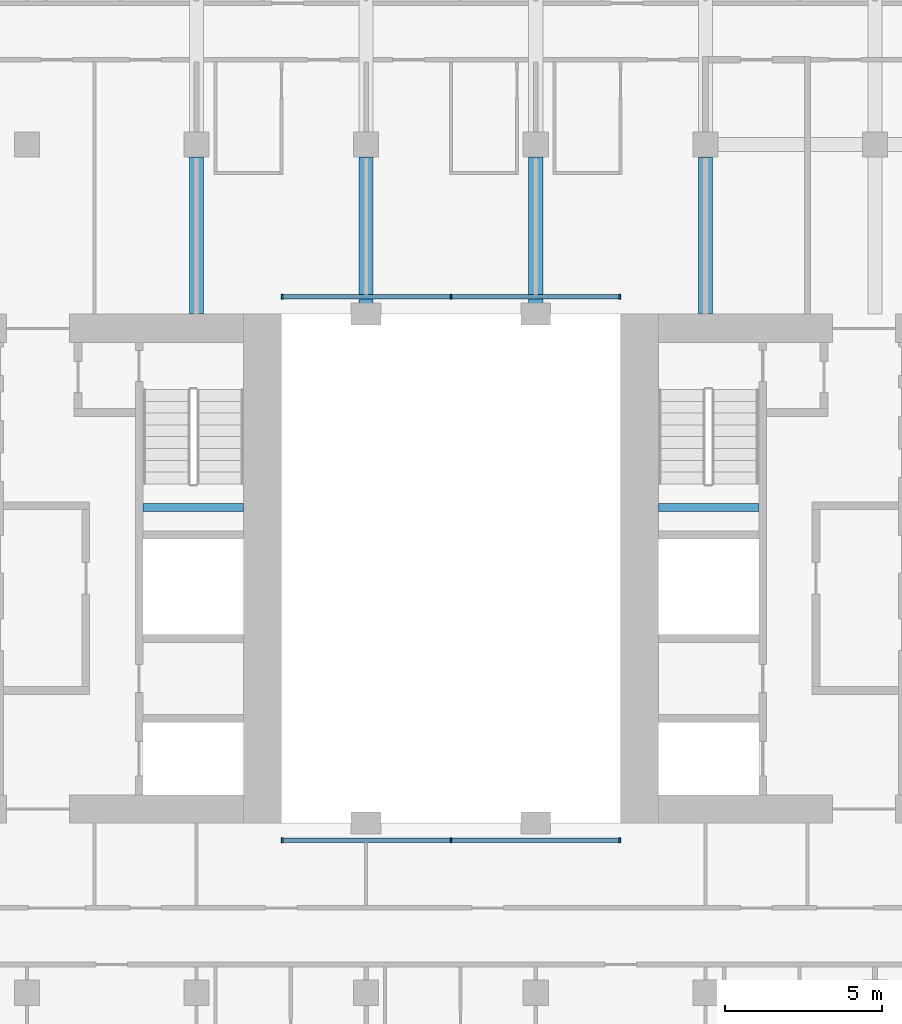
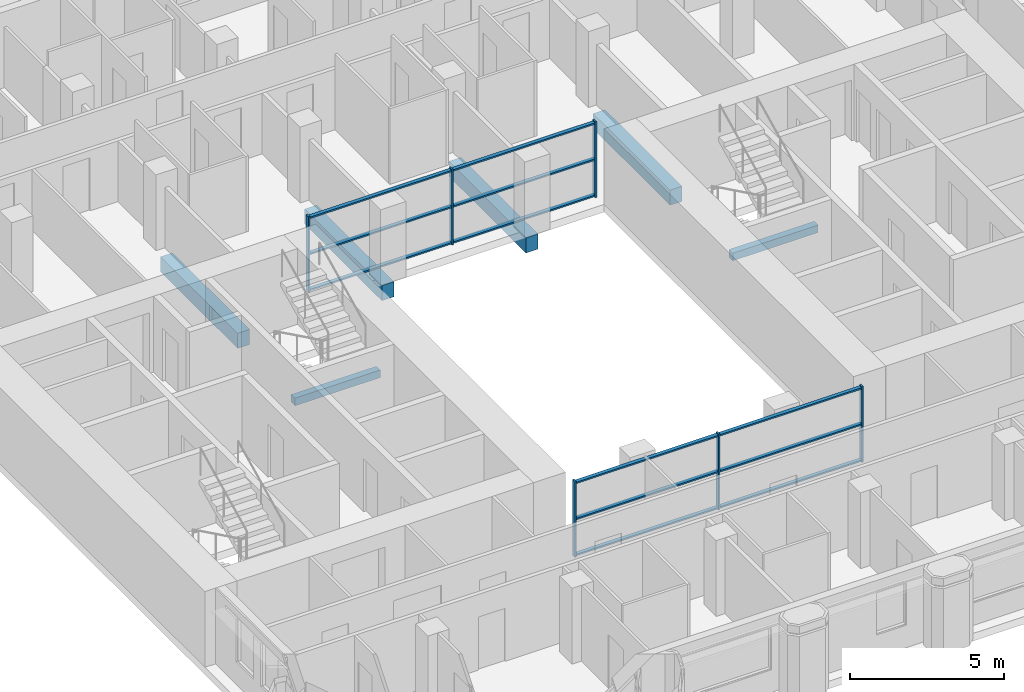
# One storey, part 2 of 13: 18 members, 6 beams, 2 elements without a shape of their own.
"""IFC4 building model written with IfcOpenShell, lengths in metres."""

from ifc_helpers import new_model, si_unit, direction, frame, origin, origin_2d, place, context, subcontext, project, spatial, rectangle, extrude, material, material_profile, profile_set, type_object, element, aggregate, save


model = new_model("IFC4")

# Units and contexts
model_context = context("Model", 3, precision=1e-05, world=origin(), true_north=direction((0.0, 1.0)))
body_context = subcontext(model_context, "Body", "Model", "MODEL_VIEW")
ifc_project = project(units=[si_unit("LENGTHUNIT", "METRE"), si_unit("AREAUNIT", "SQUARE_METRE"), si_unit("VOLUMEUNIT", "CUBIC_METRE"), si_unit("PLANEANGLEUNIT", "RADIAN"), si_unit("MASSUNIT", "GRAM", prefix="KILO")], contexts=[model_context])

# Site, building, storey
site_placement = place(None, origin())
site = spatial("IfcSite", under=ifc_project, at=site_placement, CompositionType="ELEMENT")
building_placement = place(site_placement, origin())
building = spatial("IfcBuilding", under=site, at=building_placement, Name="Tabaq Tower and Sports Hall", CompositionType="ELEMENT")
storey_placement = place(building_placement, frame((0.0, 0.0, 203.800048828125)))
storey = spatial("IfcBuildingStorey", under=building, at=storey_placement, Name="L50", CompositionType="ELEMENT", Elevation=203.800048828125)

# Curtain wall, members
ifc_material_1 = material(Name="Aluminium alloy 6063-T6 framed glazing", Category="aluminium")
curtain_wall_type = type_object("IfcCurtainWallType", Name="CW1 curtain wall", PredefinedType="USERDEFINED", material=ifc_material_1)
curtain_wall_1_placement = place(storey_placement, origin())
curtain_wall_1 = element("IfcCurtainWall", 1, at=curtain_wall_1_placement, inside=storey, type_object=curtain_wall_type, Name="Atrium glazing L50 S", ObjectType="ATRIUM ENCLOSURE", PredefinedType="USERDEFINED")
ifc_material_2 = material(Name="Aluminium alloy 6063-T6", Category="aluminium")
ifc_material_profile_1 = material_profile(ifc_material_2, rectangle(XDim=0.159912109375, YDim=0.06005859375, at=origin_2d()), Name="MULLION 160x60")
ifc_profile_set_1 = profile_set([ifc_material_profile_1], Name="Aluminium alloy 6063-T6")
member_type_1 = type_object("IfcMemberType", Name="CW1 mullion 160x60", PredefinedType="MULLION", material=ifc_profile_set_1)
member_1_placement = place(storey_placement, frame((18.929931640625, 15.64990234375, 0.0), z_axis=(0.0, 0.0, 1.0), x_axis=(0.0, 1.0, 0.0)))
member_1 = element("IfcMember", 2, at=member_1_placement, type_object=member_type_1, Name="CW1 mullion 1", PredefinedType="MULLION", context=body_context, shape_type="SweptSolid", body=[
    extrude(rectangle(XDim=0.159912109375, YDim=0.06005859375, at=origin_2d()), origin(), (0.0, 0.0, 1.0), 3.0),
])
member_2_placement = place(storey_placement, frame((24.300048828125, 15.64990234375, 0.0), z_axis=(0.0, 0.0, 1.0), x_axis=(0.0, 1.0, 0.0)))
member_2 = element("IfcMember", 3, at=member_2_placement, type_object=member_type_1, Name="CW1 mullion 2", PredefinedType="MULLION", context=body_context, shape_type="SweptSolid", body=[
    extrude(rectangle(XDim=0.159912109375, YDim=0.06005859375, at=origin_2d()), origin(), (0.0, 0.0, 1.0), 3.0),
])
member_3_placement = place(storey_placement, frame((29.669921875, 15.64990234375, 0.0), z_axis=(0.0, 0.0, 1.0), x_axis=(0.0, 1.0, 0.0)))
member_3 = element("IfcMember", 4, at=member_3_placement, type_object=member_type_1, Name="CW1 mullion 3", PredefinedType="MULLION", context=body_context, shape_type="SweptSolid", body=[
    extrude(rectangle(XDim=0.159912109375, YDim=0.06005859375, at=origin_2d()), origin(), (0.0, 0.0, 1.0), 3.0),
])

curtain_wall_2_placement = place(storey_placement, origin())
curtain_wall_2 = element("IfcCurtainWall", 5, at=curtain_wall_2_placement, inside=storey, type_object=curtain_wall_type, Name="Atrium glazing L50 N", ObjectType="ATRIUM ENCLOSURE", PredefinedType="USERDEFINED")
member_4_placement = place(storey_placement, frame((18.929931640625, 32.949951171875, 0.0), z_axis=(0.0, 0.0, 1.0), x_axis=(0.0, 1.0, 0.0)))
member_4 = element("IfcMember", 6, at=member_4_placement, type_object=member_type_1, Name="CW1 mullion 1", PredefinedType="MULLION", context=body_context, shape_type="SweptSolid", body=[
    extrude(rectangle(XDim=0.159912109375, YDim=0.06005859375, at=origin_2d()), origin(), (0.0, 0.0, 1.0), 3.0),
])
member_5_placement = place(storey_placement, frame((24.300048828125, 32.949951171875, 0.0), z_axis=(0.0, 0.0, 1.0), x_axis=(0.0, 1.0, 0.0)))
member_5 = element("IfcMember", 7, at=member_5_placement, type_object=member_type_1, Name="CW1 mullion 2", PredefinedType="MULLION", context=body_context, shape_type="SweptSolid", body=[
    extrude(rectangle(XDim=0.159912109375, YDim=0.06005859375, at=origin_2d()), origin(), (0.0, 0.0, 1.0), 3.0),
])
member_6_placement = place(storey_placement, frame((29.669921875, 32.949951171875, 0.0), z_axis=(0.0, 0.0, 1.0), x_axis=(0.0, 1.0, 0.0)))
member_6 = element("IfcMember", 8, at=member_6_placement, type_object=member_type_1, Name="CW1 mullion 3", PredefinedType="MULLION", context=body_context, shape_type="SweptSolid", body=[
    extrude(rectangle(XDim=0.159912109375, YDim=0.06005859375, at=origin_2d()), origin(), (0.0, 0.0, 1.0), 3.0),
])

# Member
ifc_material_3 = material(Name="Aluminium alloy 6063-T6", Category="aluminium")
ifc_material_profile_2 = material_profile(ifc_material_3, rectangle(XDim=0.139892578125, YDim=0.06005859375, at=origin_2d()), Name="TRANSOM 140x60")
ifc_profile_set_2 = profile_set([ifc_material_profile_2], Name="Aluminium alloy 6063-T6")
member_type_2 = type_object("IfcMemberType", Name="CW1 transom 140x60", PredefinedType="USERDEFINED", material=ifc_profile_set_2)
member_7_placement = place(storey_placement, frame((18.9599609375, 15.64990234375, 0.070068359375), z_axis=(1.0, 0.0, 0.0), x_axis=(0.0, 1.0, 0.0)))
member_7 = element("IfcMember", 9, at=member_7_placement, type_object=member_type_2, Name="CW1 transom 1.1", ObjectType="TRANSOM", PredefinedType="USERDEFINED", context=body_context, shape_type="SweptSolid", body=[
    extrude(rectangle(XDim=0.139892578125, YDim=0.06005859375, at=origin_2d()), origin(), (0.0, 0.0, 1.0), 5.31005859375),
])

member_8_placement = place(storey_placement, frame((18.9599609375, 15.64990234375, 1.5), z_axis=(1.0, 0.0, 0.0), x_axis=(0.0, 1.0, 0.0)))
member_8 = element("IfcMember", 10, at=member_8_placement, type_object=member_type_2, Name="CW1 transom 1.2", ObjectType="TRANSOM", PredefinedType="USERDEFINED", context=body_context, shape_type="SweptSolid", body=[
    extrude(rectangle(XDim=0.139892578125, YDim=0.06005859375, at=origin_2d()), origin(), (0.0, 0.0, 1.0), 5.31005859375),
])

member_9_placement = place(storey_placement, frame((18.9599609375, 15.64990234375, 2.929931640625), z_axis=(1.0, 0.0, 0.0), x_axis=(0.0, 1.0, 0.0)))
member_9 = element("IfcMember", 11, at=member_9_placement, type_object=member_type_2, Name="CW1 transom 1.3", ObjectType="TRANSOM", PredefinedType="USERDEFINED", context=body_context, shape_type="SweptSolid", body=[
    extrude(rectangle(XDim=0.139892578125, YDim=0.06005859375, at=origin_2d()), origin(), (0.0, 0.0, 1.0), 5.31005859375),
])

member_10_placement = place(storey_placement, frame((24.330078125, 15.64990234375, 0.070068359375), z_axis=(1.0, 0.0, 0.0), x_axis=(0.0, 1.0, 0.0)))
member_10 = element("IfcMember", 12, at=member_10_placement, type_object=member_type_2, Name="CW1 transom 2.1", ObjectType="TRANSOM", PredefinedType="USERDEFINED", context=body_context, shape_type="SweptSolid", body=[
    extrude(rectangle(XDim=0.139892578125, YDim=0.06005859375, at=origin_2d()), origin(), (0.0, 0.0, 1.0), 5.309814453125),
])

member_11_placement = place(storey_placement, frame((24.330078125, 15.64990234375, 1.5), z_axis=(1.0, 0.0, 0.0), x_axis=(0.0, 1.0, 0.0)))
member_11 = element("IfcMember", 13, at=member_11_placement, type_object=member_type_2, Name="CW1 transom 2.2", ObjectType="TRANSOM", PredefinedType="USERDEFINED", context=body_context, shape_type="SweptSolid", body=[
    extrude(rectangle(XDim=0.139892578125, YDim=0.06005859375, at=origin_2d()), origin(), (0.0, 0.0, 1.0), 5.309814453125),
])

member_12_placement = place(storey_placement, frame((24.330078125, 15.64990234375, 2.929931640625), z_axis=(1.0, 0.0, 0.0), x_axis=(0.0, 1.0, 0.0)))
member_12 = element("IfcMember", 14, at=member_12_placement, type_object=member_type_2, Name="CW1 transom 2.3", ObjectType="TRANSOM", PredefinedType="USERDEFINED", context=body_context, shape_type="SweptSolid", body=[
    extrude(rectangle(XDim=0.139892578125, YDim=0.06005859375, at=origin_2d()), origin(), (0.0, 0.0, 1.0), 5.309814453125),
])

aggregate(curtain_wall_1, [member_1, member_2, member_3, member_7, member_8, member_9, member_10, member_11, member_12])

member_13_placement = place(storey_placement, frame((18.9599609375, 32.949951171875, 0.070068359375), z_axis=(1.0, 0.0, 0.0), x_axis=(0.0, 1.0, 0.0)))
member_13 = element("IfcMember", 15, at=member_13_placement, type_object=member_type_2, Name="CW1 transom 1.1", ObjectType="TRANSOM", PredefinedType="USERDEFINED", context=body_context, shape_type="SweptSolid", body=[
    extrude(rectangle(XDim=0.139892578125, YDim=0.06005859375, at=origin_2d()), origin(), (0.0, 0.0, 1.0), 5.31005859375),
])

member_14_placement = place(storey_placement, frame((18.9599609375, 32.949951171875, 1.5), z_axis=(1.0, 0.0, 0.0), x_axis=(0.0, 1.0, 0.0)))
member_14 = element("IfcMember", 16, at=member_14_placement, type_object=member_type_2, Name="CW1 transom 1.2", ObjectType="TRANSOM", PredefinedType="USERDEFINED", context=body_context, shape_type="SweptSolid", body=[
    extrude(rectangle(XDim=0.139892578125, YDim=0.06005859375, at=origin_2d()), origin(), (0.0, 0.0, 1.0), 5.31005859375),
])

member_15_placement = place(storey_placement, frame((18.9599609375, 32.949951171875, 2.929931640625), z_axis=(1.0, 0.0, 0.0), x_axis=(0.0, 1.0, 0.0)))
member_15 = element("IfcMember", 17, at=member_15_placement, type_object=member_type_2, Name="CW1 transom 1.3", ObjectType="TRANSOM", PredefinedType="USERDEFINED", context=body_context, shape_type="SweptSolid", body=[
    extrude(rectangle(XDim=0.139892578125, YDim=0.06005859375, at=origin_2d()), origin(), (0.0, 0.0, 1.0), 5.31005859375),
])

member_16_placement = place(storey_placement, frame((24.330078125, 32.949951171875, 0.070068359375), z_axis=(1.0, 0.0, 0.0), x_axis=(0.0, 1.0, 0.0)))
member_16 = element("IfcMember", 18, at=member_16_placement, type_object=member_type_2, Name="CW1 transom 2.1", ObjectType="TRANSOM", PredefinedType="USERDEFINED", context=body_context, shape_type="SweptSolid", body=[
    extrude(rectangle(XDim=0.139892578125, YDim=0.06005859375, at=origin_2d()), origin(), (0.0, 0.0, 1.0), 5.309814453125),
])

member_17_placement = place(storey_placement, frame((24.330078125, 32.949951171875, 1.5), z_axis=(1.0, 0.0, 0.0), x_axis=(0.0, 1.0, 0.0)))
member_17 = element("IfcMember", 19, at=member_17_placement, type_object=member_type_2, Name="CW1 transom 2.2", ObjectType="TRANSOM", PredefinedType="USERDEFINED", context=body_context, shape_type="SweptSolid", body=[
    extrude(rectangle(XDim=0.139892578125, YDim=0.06005859375, at=origin_2d()), origin(), (0.0, 0.0, 1.0), 5.309814453125),
])

member_18_placement = place(storey_placement, frame((24.330078125, 32.949951171875, 2.929931640625), z_axis=(1.0, 0.0, 0.0), x_axis=(0.0, 1.0, 0.0)))
member_18 = element("IfcMember", 20, at=member_18_placement, type_object=member_type_2, Name="CW1 transom 2.3", ObjectType="TRANSOM", PredefinedType="USERDEFINED", context=body_context, shape_type="SweptSolid", body=[
    extrude(rectangle(XDim=0.139892578125, YDim=0.06005859375, at=origin_2d()), origin(), (0.0, 0.0, 1.0), 5.309814453125),
])

aggregate(curtain_wall_2, [member_4, member_5, member_6, member_13, member_14, member_15, member_16, member_17, member_18])

# Beams
ifc_material_4 = material(Name="Concrete C40/50", Category="concrete")
ifc_material_profile_3 = material_profile(ifc_material_4, rectangle(XDim=0.449951171875, YDim=0.60009765625, at=origin_2d()), Name="CB 450x600")
ifc_profile_set_3 = profile_set([ifc_material_profile_3], Name="Concrete C40/50")
beam_type_1 = type_object("IfcBeamType", Name="PT CANTILEVER BEAM CB 450x600 C40/50", PredefinedType="BEAM", material=ifc_profile_set_3)
for number, where, z_axis, x_axis, name in (
    (21, (16.199951171875, 37.39990234375, -0.60009765625), (0.0, -1.0, 0.0), (1.0, 0.0, 0.0), "Cantilever Beam L50 N3 span 3"),
    (22, (21.60009765625, 37.39990234375, -0.60009765625), (0.0, -1.0, 0.0), (1.0, 0.0, 0.0), "Cantilever Beam L50 N4 span 3"),
    (23, (27.0, 37.39990234375, -0.60009765625), (0.0, -1.0, 0.0), (1.0, 0.0, 0.0), "Cantilever Beam L50 N5 span 3"),
    (24, (32.39990234375, 37.39990234375, -0.60009765625), (0.0, -1.0, 0.0), (1.0, 0.0, 0.0), "Cantilever Beam L50 N6 span 3"),
):
    element("IfcBeam", number, at=place(storey_placement, frame(where, z_axis=z_axis, x_axis=x_axis)), inside=storey, type_object=beam_type_1, Name=name, PredefinedType="BEAM", context=body_context, shape_type="SweptSolid", body=[
        extrude(rectangle(XDim=0.449951171875, YDim=0.60009765625, at=origin_2d()), origin(), (0.0, 0.0, 1.0), 5.0),
    ])
ifc_material_5 = material(Name="Concrete C40/50", Category="concrete")
ifc_material_profile_4 = material_profile(ifc_material_5, rectangle(XDim=0.25, YDim=0.300048828125, at=origin_2d()), Name="RC 250x300")
ifc_profile_set_4 = profile_set([ifc_material_profile_4], Name="Concrete C40/50")
beam_type_2 = type_object("IfcBeamType", Name="Stair landing beam 250x300", PredefinedType="BEAM", material=ifc_profile_set_4)
beam_1_placement = place(storey_placement, frame((14.5, 26.25, 1.300048828125), z_axis=(1.0, 0.0, 0.0), x_axis=(0.0, 1.0, 0.0)))
element("IfcBeam", 25, at=beam_1_placement, inside=storey, type_object=beam_type_2, Name="L50 ST2 landing beam 1", PredefinedType="BEAM", context=body_context, shape_type="SweptSolid", body=[
    extrude(rectangle(XDim=0.25, YDim=0.300048828125, at=origin_2d()), origin(), (0.0, 0.0, 1.0), 3.199951171875),
])
beam_2_placement = place(storey_placement, frame((30.89990234375, 26.25, 1.300048828125), z_axis=(1.0, 0.0, 0.0), x_axis=(0.0, 1.0, 0.0)))
element("IfcBeam", 26, at=beam_2_placement, inside=storey, type_object=beam_type_2, Name="L50 ST4 landing beam 1", PredefinedType="BEAM", context=body_context, shape_type="SweptSolid", body=[
    extrude(rectangle(XDim=0.25, YDim=0.300048828125, at=origin_2d()), origin(), (0.0, 0.0, 1.0), 3.2001953125),
])

save(model, "model.ifc")
